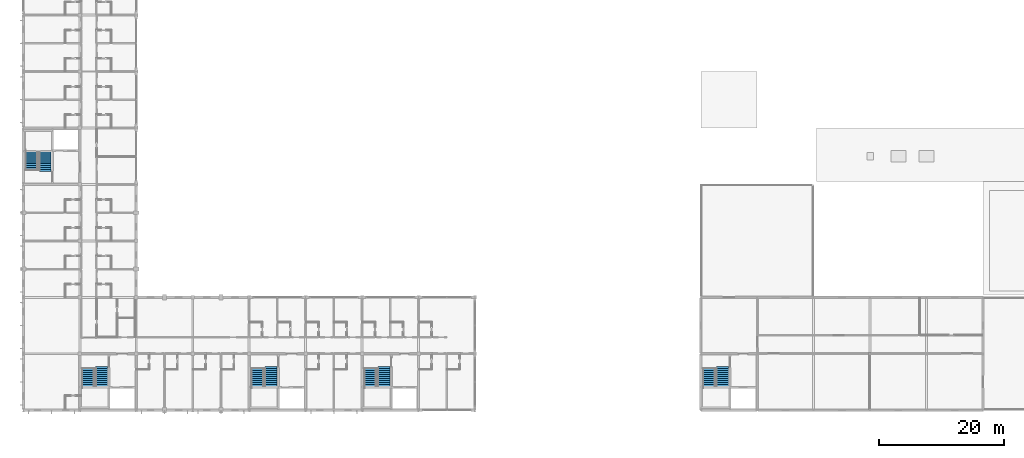
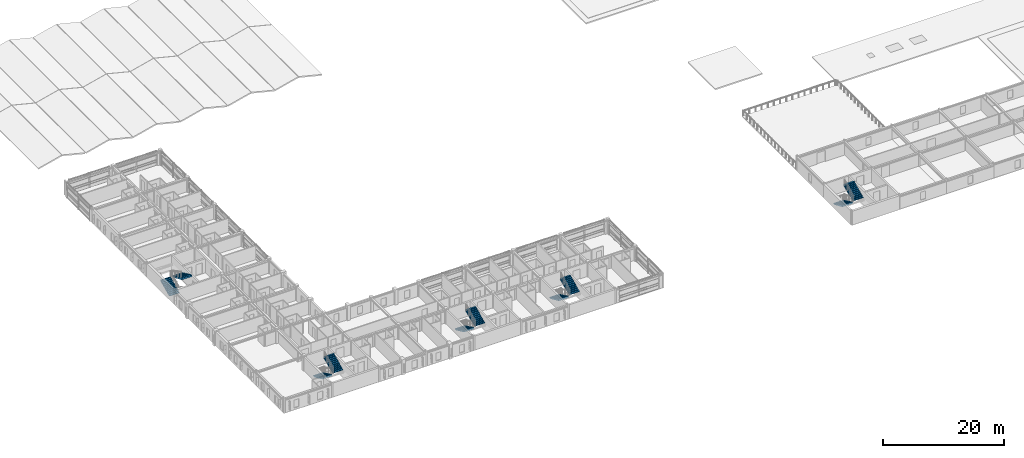
# One storey, part 30 of 37: 10 stair flights, 5 elements without a shape of their own.
"""IFC4 building model written with IfcOpenShell, lengths in metres."""

from ifc_helpers import new_model, si_unit, direction, frame, origin, place, context, subcontext, project, spatial, polyline, outline, extrude, material, type_object, element, aggregate, save


model = new_model("IFC4")

# Units and contexts
model_context = context("Model", 3, precision=1e-05, world=origin(), true_north=direction((0.0, 1.0)))
body_context = subcontext(model_context, "Body", "Model", "MODEL_VIEW")
ifc_project = project(units=[si_unit("LENGTHUNIT", "METRE"), si_unit("AREAUNIT", "SQUARE_METRE"), si_unit("VOLUMEUNIT", "CUBIC_METRE"), si_unit("PLANEANGLEUNIT", "RADIAN"), si_unit("MASSUNIT", "GRAM", prefix="KILO")], contexts=[model_context])

# Site, building, storey
site_placement = place(None, origin())
site = spatial("IfcSite", under=ifc_project, at=site_placement, CompositionType="ELEMENT")
building_placement = place(site_placement, origin())
building = spatial("IfcBuilding", under=site, at=building_placement, Name="Palais des Congres Ocreval", CompositionType="ELEMENT")
storey_placement = place(building_placement, frame((0.0, 0.0, 11.52001953125)))
storey = spatial("IfcBuildingStorey", under=building, at=storey_placement, Name="L03", CompositionType="ELEMENT", Elevation=11.52001953125)

# Stair, stair flights
ifc_material = material(Name="Concrete C40/50", Category="concrete")
stair_type_1 = type_object("IfcStairType", Name="Commission Core Stair 1950 Concrete C40/50", PredefinedType="HALF_TURN_STAIR", material=ifc_material)
stair_1_placement = place(storey_placement, origin())
stair_1 = element("IfcStair", 1, at=stair_1_placement, inside=storey, type_object=stair_type_1, Name="Protected Core Stair ST09 L03", PredefinedType="HALF_TURN_STAIR")
stair_flight_type_1 = type_object("IfcStairFlightType", Name="Commission Stair Flight W1950 Concrete C40/50", PredefinedType="STRAIGHT", material=ifc_material)
stair_flight_1_placement = place(storey_placement, frame((109.344970703125, 6.64990234375, 0.0), z_axis=(0.0, 0.0, 1.0), x_axis=(0.0, -1.0, 0.0)))
stair_flight_1 = element("IfcStairFlight", 2, at=stair_flight_1_placement, type_object=stair_flight_type_1, Name="Stair ST09 L03 Flight 1", NumberOfRisers=10, NumberOfTreads=9, PredefinedType="STRAIGHT", RiserHeight=0.152, TreadLength=0.315, context=body_context, shape_type="SweptSolid", body=[
    extrude(outline(polyline([(-0.006103515625, 0.0), (-0.006103515625, 0.075927734375), (0.0, 0.152099609375), (0.31494140625, 0.152099609375), (0.31494140625, 0.303955078125), (0.6298828125, 0.303955078125), (0.6298828125, 0.4560546875), (0.945068359375, 0.4560546875), (0.945068359375, 0.60791015625), (1.260009765625, 0.60791015625), (1.260009765625, 0.760009765625), (1.574951171875, 0.760009765625), (1.574951171875, 0.912109375), (1.889892578125, 0.912109375), (1.889892578125, 1.06396484375), (2.205078125, 1.06396484375), (2.205078125, 1.216064453125), (2.52001953125, 1.216064453125), (2.52001953125, 1.367919921875), (2.8349609375, 1.367919921875), (2.8349609375, 1.52001953125), (2.9951171875, 1.52001953125), (2.9951171875, 1.1904296875), (0.367919921875, 0.0), (-0.006103515625, 0.0)])), frame((0.0, 0.97509765625, 0.0), z_axis=(0.0, -1.0, 0.0), x_axis=(1.0, 0.0, 0.0)), (0.0, 0.0, 1.0), 1.949951171875),
])
stair_flight_2_placement = place(storey_placement, frame((111.455078125, 3.81494140625, 1.52001953125), z_axis=(0.0, 0.0, 1.0), x_axis=(0.0, 1.0, 0.0)))
stair_flight_2 = element("IfcStairFlight", 3, at=stair_flight_2_placement, type_object=stair_flight_type_1, Name="Stair ST09 L03 Flight 2", NumberOfRisers=10, NumberOfTreads=9, PredefinedType="STRAIGHT", RiserHeight=0.152, TreadLength=0.315, context=body_context, shape_type="SweptSolid", body=[
    extrude(outline(polyline([(-0.006103515625, 0.0), (-0.006103515625, 0.075927734375), (0.0, 0.152099609375), (0.31494140625, 0.152099609375), (0.31494140625, 0.303955078125), (0.6298828125, 0.303955078125), (0.6298828125, 0.4560546875), (0.945068359375, 0.4560546875), (0.945068359375, 0.60791015625), (1.260009765625, 0.60791015625), (1.260009765625, 0.760009765625), (1.574951171875, 0.760009765625), (1.574951171875, 0.912109375), (1.889892578125, 0.912109375), (1.889892578125, 1.06396484375), (2.205078125, 1.06396484375), (2.205078125, 1.216064453125), (2.52001953125, 1.216064453125), (2.52001953125, 1.367919921875), (2.8349609375, 1.367919921875), (2.8349609375, 1.52001953125), (3.14990234375, 1.52001953125), (3.14990234375, 1.1904296875), (0.367919921875, 0.0), (-0.006103515625, 0.0)])), frame((0.0, 0.97509765625, 0.0), z_axis=(0.0, -1.0, 0.0), x_axis=(1.0, 0.0, 0.0)), (0.0, 0.0, 1.0), 1.949951171875),
])
aggregate(stair_1, [stair_flight_1, stair_flight_2])

stair_type_2 = type_object("IfcStairType", Name="Hotel Core Stair L03-L06 1900 Concrete C40/50", PredefinedType="HALF_TURN_STAIR", material=ifc_material)
stair_2_placement = place(storey_placement, origin())
stair_2 = element("IfcStair", 4, at=stair_2_placement, inside=storey, type_object=stair_type_2, Name="Protected Core Stair ST01 L03", PredefinedType="HALF_TURN_STAIR")
stair_flight_type_2 = type_object("IfcStairFlightType", Name="Hotel Stair Flight 10R x 152/295 W1900 Concrete C40/50", PredefinedType="STRAIGHT", material=ifc_material)
stair_flight_3_placement = place(storey_placement, frame((10.320068359375, 6.64990234375, 0.0), z_axis=(0.0, 0.0, 1.0), x_axis=(0.0, -1.0, 0.0)))
stair_flight_3 = element("IfcStairFlight", 5, at=stair_flight_3_placement, type_object=stair_flight_type_2, Name="Stair ST01 L03 Flight 1", NumberOfRisers=10, NumberOfTreads=9, PredefinedType="STRAIGHT", RiserHeight=0.152, TreadLength=0.315, context=body_context, shape_type="SweptSolid", body=[
    extrude(outline(polyline([(-0.006103515625, 0.0), (-0.006103515625, 0.075927734375), (0.0, 0.152099609375), (0.31494140625, 0.152099609375), (0.31494140625, 0.303955078125), (0.6298828125, 0.303955078125), (0.6298828125, 0.4560546875), (0.945068359375, 0.4560546875), (0.945068359375, 0.60791015625), (1.260009765625, 0.60791015625), (1.260009765625, 0.760009765625), (1.574951171875, 0.760009765625), (1.574951171875, 0.912109375), (1.889892578125, 0.912109375), (1.889892578125, 1.06396484375), (2.205078125, 1.06396484375), (2.205078125, 1.216064453125), (2.52001953125, 1.216064453125), (2.52001953125, 1.367919921875), (2.8349609375, 1.367919921875), (2.8349609375, 1.52001953125), (2.9951171875, 1.52001953125), (2.9951171875, 1.1904296875), (0.367919921875, 0.0), (-0.006103515625, 0.0)])), frame((0.0, 0.949951171875, 0.0), z_axis=(0.0, -1.0, 0.0), x_axis=(1.0, 0.0, 0.0)), (0.0, 0.0, 1.0), 1.89990234375),
])
stair_flight_4_placement = place(storey_placement, frame((12.47998046875, 3.81494140625, 1.52001953125), z_axis=(0.0, 0.0, 1.0), x_axis=(0.0, 1.0, 0.0)))
stair_flight_4 = element("IfcStairFlight", 6, at=stair_flight_4_placement, type_object=stair_flight_type_2, Name="Stair ST01 L03 Flight 2", NumberOfRisers=10, NumberOfTreads=9, PredefinedType="STRAIGHT", RiserHeight=0.152, TreadLength=0.315, context=body_context, shape_type="SweptSolid", body=[
    extrude(outline(polyline([(-0.006103515625, 0.0), (-0.006103515625, 0.075927734375), (0.0, 0.152099609375), (0.31494140625, 0.152099609375), (0.31494140625, 0.303955078125), (0.6298828125, 0.303955078125), (0.6298828125, 0.4560546875), (0.945068359375, 0.4560546875), (0.945068359375, 0.60791015625), (1.260009765625, 0.60791015625), (1.260009765625, 0.760009765625), (1.574951171875, 0.760009765625), (1.574951171875, 0.912109375), (1.889892578125, 0.912109375), (1.889892578125, 1.06396484375), (2.205078125, 1.06396484375), (2.205078125, 1.216064453125), (2.52001953125, 1.216064453125), (2.52001953125, 1.367919921875), (2.8349609375, 1.367919921875), (2.8349609375, 1.52001953125), (3.14990234375, 1.52001953125), (3.14990234375, 1.1904296875), (0.367919921875, 0.0), (-0.006103515625, 0.0)])), frame((0.0, 0.949951171875, 0.0), z_axis=(0.0, -1.0, 0.0), x_axis=(1.0, 0.0, 0.0)), (0.0, 0.0, 1.0), 1.89990234375),
])
aggregate(stair_2, [stair_flight_3, stair_flight_4])

stair_3_placement = place(storey_placement, origin())
stair_3 = element("IfcStair", 7, at=stair_3_placement, inside=storey, type_object=stair_type_2, Name="Protected Core Stair ST02 L03", PredefinedType="HALF_TURN_STAIR")
stair_flight_5_placement = place(storey_placement, frame((37.320068359375, 6.64990234375, 0.0), z_axis=(0.0, 0.0, 1.0), x_axis=(0.0, -1.0, 0.0)))
stair_flight_5 = element("IfcStairFlight", 8, at=stair_flight_5_placement, type_object=stair_flight_type_2, Name="Stair ST02 L03 Flight 1", NumberOfRisers=10, NumberOfTreads=9, PredefinedType="STRAIGHT", RiserHeight=0.152, TreadLength=0.315, context=body_context, shape_type="SweptSolid", body=[
    extrude(outline(polyline([(-0.006103515625, 0.0), (-0.006103515625, 0.075927734375), (0.0, 0.152099609375), (0.31494140625, 0.152099609375), (0.31494140625, 0.303955078125), (0.6298828125, 0.303955078125), (0.6298828125, 0.4560546875), (0.945068359375, 0.4560546875), (0.945068359375, 0.60791015625), (1.260009765625, 0.60791015625), (1.260009765625, 0.760009765625), (1.574951171875, 0.760009765625), (1.574951171875, 0.912109375), (1.889892578125, 0.912109375), (1.889892578125, 1.06396484375), (2.205078125, 1.06396484375), (2.205078125, 1.216064453125), (2.52001953125, 1.216064453125), (2.52001953125, 1.367919921875), (2.8349609375, 1.367919921875), (2.8349609375, 1.52001953125), (2.9951171875, 1.52001953125), (2.9951171875, 1.1904296875), (0.367919921875, 0.0), (-0.006103515625, 0.0)])), frame((0.0, 0.949951171875, 0.0), z_axis=(0.0, -1.0, 0.0), x_axis=(1.0, 0.0, 0.0)), (0.0, 0.0, 1.0), 1.89990234375),
])
stair_flight_6_placement = place(storey_placement, frame((39.47998046875, 3.81494140625, 1.52001953125), z_axis=(0.0, 0.0, 1.0), x_axis=(0.0, 1.0, 0.0)))
stair_flight_6 = element("IfcStairFlight", 9, at=stair_flight_6_placement, type_object=stair_flight_type_2, Name="Stair ST02 L03 Flight 2", NumberOfRisers=10, NumberOfTreads=9, PredefinedType="STRAIGHT", RiserHeight=0.152, TreadLength=0.315, context=body_context, shape_type="SweptSolid", body=[
    extrude(outline(polyline([(-0.006103515625, 0.0), (-0.006103515625, 0.075927734375), (0.0, 0.152099609375), (0.31494140625, 0.152099609375), (0.31494140625, 0.303955078125), (0.6298828125, 0.303955078125), (0.6298828125, 0.4560546875), (0.945068359375, 0.4560546875), (0.945068359375, 0.60791015625), (1.260009765625, 0.60791015625), (1.260009765625, 0.760009765625), (1.574951171875, 0.760009765625), (1.574951171875, 0.912109375), (1.889892578125, 0.912109375), (1.889892578125, 1.06396484375), (2.205078125, 1.06396484375), (2.205078125, 1.216064453125), (2.52001953125, 1.216064453125), (2.52001953125, 1.367919921875), (2.8349609375, 1.367919921875), (2.8349609375, 1.52001953125), (3.14990234375, 1.52001953125), (3.14990234375, 1.1904296875), (0.367919921875, 0.0), (-0.006103515625, 0.0)])), frame((0.0, 0.949951171875, 0.0), z_axis=(0.0, -1.0, 0.0), x_axis=(1.0, 0.0, 0.0)), (0.0, 0.0, 1.0), 1.89990234375),
])
aggregate(stair_3, [stair_flight_5, stair_flight_6])

stair_4_placement = place(storey_placement, origin())
stair_4 = element("IfcStair", 10, at=stair_4_placement, inside=storey, type_object=stair_type_2, Name="Protected Core Stair ST03 L03", PredefinedType="HALF_TURN_STAIR")
stair_flight_7_placement = place(storey_placement, frame((1.320068359375, 38.35009765625, 0.0), z_axis=(0.0, 0.0, 1.0), x_axis=(0.0, 1.0, 0.0)))
stair_flight_7 = element("IfcStairFlight", 11, at=stair_flight_7_placement, type_object=stair_flight_type_2, Name="Stair ST03 L03 Flight 1", NumberOfRisers=10, NumberOfTreads=9, PredefinedType="STRAIGHT", RiserHeight=0.152, TreadLength=0.315, context=body_context, shape_type="SweptSolid", body=[
    extrude(outline(polyline([(-0.006103515625, 0.0), (-0.006103515625, 0.075927734375), (0.0, 0.152099609375), (0.31494140625, 0.152099609375), (0.31494140625, 0.303955078125), (0.6298828125, 0.303955078125), (0.6298828125, 0.4560546875), (0.945068359375, 0.4560546875), (0.945068359375, 0.60791015625), (1.260009765625, 0.60791015625), (1.260009765625, 0.760009765625), (1.574951171875, 0.760009765625), (1.574951171875, 0.912109375), (1.889892578125, 0.912109375), (1.889892578125, 1.06396484375), (2.205078125, 1.06396484375), (2.205078125, 1.216064453125), (2.52001953125, 1.216064453125), (2.52001953125, 1.367919921875), (2.8349609375, 1.367919921875), (2.8349609375, 1.52001953125), (2.9951171875, 1.52001953125), (2.9951171875, 1.1904296875), (0.367919921875, 0.0), (-0.006103515625, 0.0)])), frame((0.0, 0.949951171875, 0.0), z_axis=(0.0, -1.0, 0.0), x_axis=(1.0, 0.0, 0.0)), (0.0, 0.0, 1.0), 1.89990234375),
])
stair_flight_8_placement = place(storey_placement, frame((3.47998046875, 41.18505859375, 1.52001953125), z_axis=(0.0, 0.0, 1.0), x_axis=(0.0, -1.0, 0.0)))
stair_flight_8 = element("IfcStairFlight", 12, at=stair_flight_8_placement, type_object=stair_flight_type_2, Name="Stair ST03 L03 Flight 2", NumberOfRisers=10, NumberOfTreads=9, PredefinedType="STRAIGHT", RiserHeight=0.152, TreadLength=0.315, context=body_context, shape_type="SweptSolid", body=[
    extrude(outline(polyline([(-0.006103515625, 0.0), (-0.006103515625, 0.075927734375), (0.0, 0.152099609375), (0.31494140625, 0.152099609375), (0.31494140625, 0.303955078125), (0.6298828125, 0.303955078125), (0.6298828125, 0.4560546875), (0.945068359375, 0.4560546875), (0.945068359375, 0.60791015625), (1.260009765625, 0.60791015625), (1.260009765625, 0.760009765625), (1.574951171875, 0.760009765625), (1.574951171875, 0.912109375), (1.889892578125, 0.912109375), (1.889892578125, 1.06396484375), (2.205078125, 1.06396484375), (2.205078125, 1.216064453125), (2.52001953125, 1.216064453125), (2.52001953125, 1.367919921875), (2.8349609375, 1.367919921875), (2.8349609375, 1.52001953125), (3.14990234375, 1.52001953125), (3.14990234375, 1.1904296875), (0.367919921875, 0.0), (-0.006103515625, 0.0)])), frame((0.0, 0.949951171875, 0.0), z_axis=(0.0, -1.0, 0.0), x_axis=(1.0, 0.0, 0.0)), (0.0, 0.0, 1.0), 1.89990234375),
])
aggregate(stair_4, [stair_flight_7, stair_flight_8])

stair_5_placement = place(storey_placement, origin())
stair_5 = element("IfcStair", 13, at=stair_5_placement, inside=storey, type_object=stair_type_2, Name="Protected Core Stair ST04 L03", PredefinedType="HALF_TURN_STAIR")
stair_flight_9_placement = place(storey_placement, frame((55.320068359375, 6.64990234375, 0.0), z_axis=(0.0, 0.0, 1.0), x_axis=(0.0, -1.0, 0.0)))
stair_flight_9 = element("IfcStairFlight", 14, at=stair_flight_9_placement, type_object=stair_flight_type_2, Name="Stair ST04 L03 Flight 1", NumberOfRisers=10, NumberOfTreads=9, PredefinedType="STRAIGHT", RiserHeight=0.152, TreadLength=0.315, context=body_context, shape_type="SweptSolid", body=[
    extrude(outline(polyline([(-0.006103515625, 0.0), (-0.006103515625, 0.075927734375), (0.0, 0.152099609375), (0.31494140625, 0.152099609375), (0.31494140625, 0.303955078125), (0.6298828125, 0.303955078125), (0.6298828125, 0.4560546875), (0.945068359375, 0.4560546875), (0.945068359375, 0.60791015625), (1.260009765625, 0.60791015625), (1.260009765625, 0.760009765625), (1.574951171875, 0.760009765625), (1.574951171875, 0.912109375), (1.889892578125, 0.912109375), (1.889892578125, 1.06396484375), (2.205078125, 1.06396484375), (2.205078125, 1.216064453125), (2.52001953125, 1.216064453125), (2.52001953125, 1.367919921875), (2.8349609375, 1.367919921875), (2.8349609375, 1.52001953125), (2.9951171875, 1.52001953125), (2.9951171875, 1.1904296875), (0.367919921875, 0.0), (-0.006103515625, 0.0)])), frame((0.0, 0.949951171875, 0.0), z_axis=(0.0, -1.0, 0.0), x_axis=(1.0, 0.0, 0.0)), (0.0, 0.0, 1.0), 1.89990234375),
])
stair_flight_10_placement = place(storey_placement, frame((57.47998046875, 3.81494140625, 1.52001953125), z_axis=(0.0, 0.0, 1.0), x_axis=(0.0, 1.0, 0.0)))
stair_flight_10 = element("IfcStairFlight", 15, at=stair_flight_10_placement, type_object=stair_flight_type_2, Name="Stair ST04 L03 Flight 2", NumberOfRisers=10, NumberOfTreads=9, PredefinedType="STRAIGHT", RiserHeight=0.152, TreadLength=0.315, context=body_context, shape_type="SweptSolid", body=[
    extrude(outline(polyline([(-0.006103515625, 0.0), (-0.006103515625, 0.075927734375), (0.0, 0.152099609375), (0.31494140625, 0.152099609375), (0.31494140625, 0.303955078125), (0.6298828125, 0.303955078125), (0.6298828125, 0.4560546875), (0.945068359375, 0.4560546875), (0.945068359375, 0.60791015625), (1.260009765625, 0.60791015625), (1.260009765625, 0.760009765625), (1.574951171875, 0.760009765625), (1.574951171875, 0.912109375), (1.889892578125, 0.912109375), (1.889892578125, 1.06396484375), (2.205078125, 1.06396484375), (2.205078125, 1.216064453125), (2.52001953125, 1.216064453125), (2.52001953125, 1.367919921875), (2.8349609375, 1.367919921875), (2.8349609375, 1.52001953125), (3.14990234375, 1.52001953125), (3.14990234375, 1.1904296875), (0.367919921875, 0.0), (-0.006103515625, 0.0)])), frame((0.0, 0.949951171875, 0.0), z_axis=(0.0, -1.0, 0.0), x_axis=(1.0, 0.0, 0.0)), (0.0, 0.0, 1.0), 1.89990234375),
])
aggregate(stair_5, [stair_flight_9, stair_flight_10])

save(model, "model.ifc")
